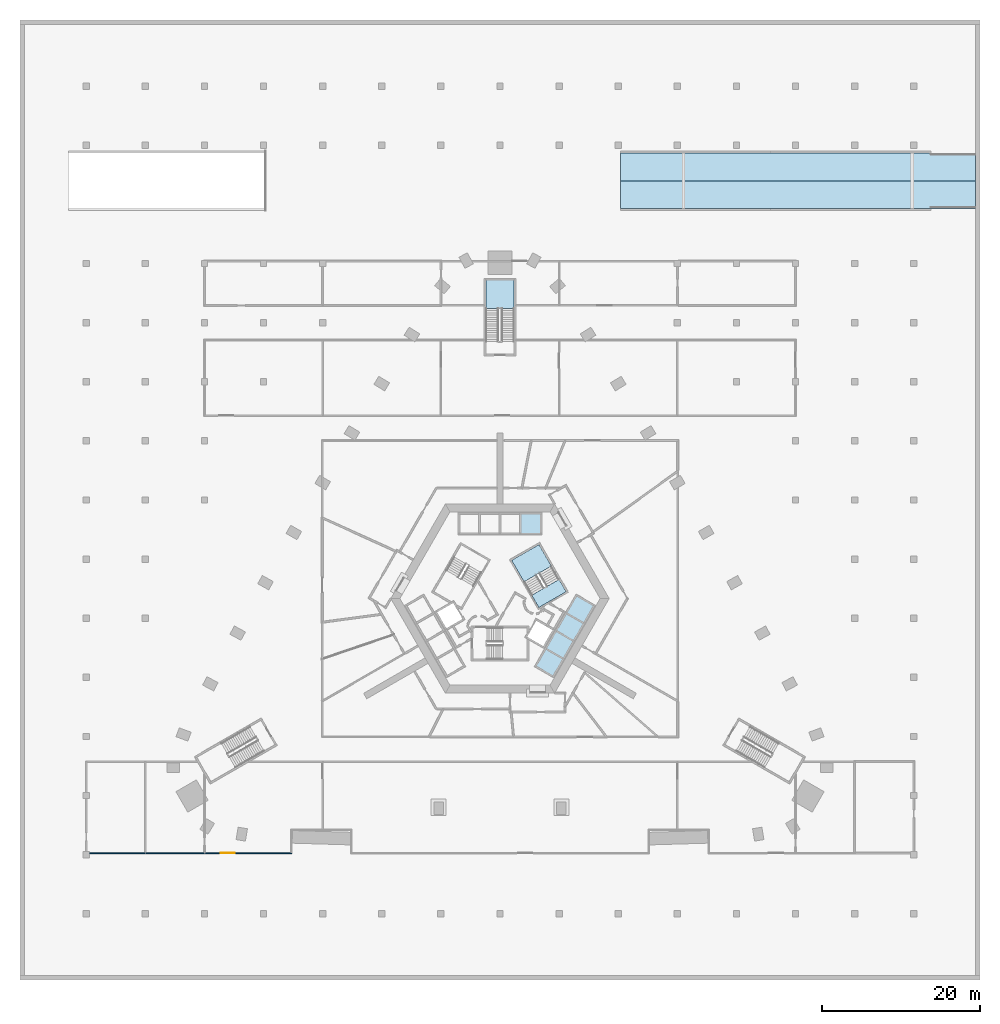
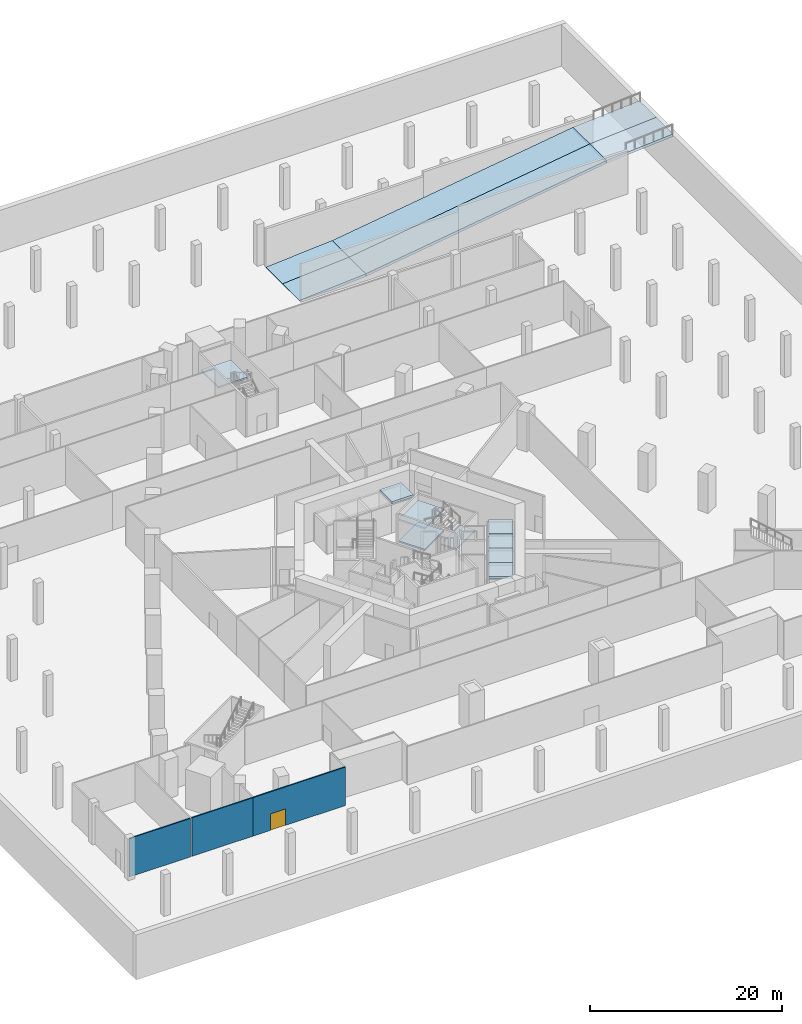
# One storey, part 2 of 20: 15 slabs, 3 walls, 1 door, 1 opening, 2 elements without a shape of their own.
"""IFC4 building model written with IfcOpenShell, lengths in metres."""

from ifc_helpers import new_model, si_unit, direction, frame, frame_2d, origin, place, context, subcontext, project, spatial, polyline, rectangle, outline, extrude, material, layer, layer_set, type_object, element, fill, aggregate, save


model = new_model("IFC4")

# Units and contexts
model_context = context("Model", 3, precision=1e-05, world=origin(), true_north=direction((0.0, 1.0)))
body_context = subcontext(model_context, "Body", "Model", "MODEL_VIEW")
ifc_project = project(units=[si_unit("LENGTHUNIT", "METRE"), si_unit("AREAUNIT", "SQUARE_METRE"), si_unit("VOLUMEUNIT", "CUBIC_METRE"), si_unit("PLANEANGLEUNIT", "RADIAN"), si_unit("MASSUNIT", "GRAM", prefix="KILO")], contexts=[model_context])

# Site, building, storey
site_placement = place(None, origin())
site = spatial("IfcSite", under=ifc_project, at=site_placement, CompositionType="ELEMENT")
building_placement = place(site_placement, origin())
building = spatial("IfcBuilding", under=site, at=building_placement, Name="Entoto Arch Interchange Tower", CompositionType="ELEMENT")
storey_placement = place(building_placement, frame((0.0, 0.0, -5.5)))
storey = spatial("IfcBuildingStorey", under=building, at=storey_placement, Name="B1", CompositionType="ELEMENT", Elevation=-5.5)

# Stair, slabs
ifc_material_1 = material(Name="Concrete C40/50", Category="concrete")
stair_type_1 = type_object("IfcStairType", Name="EXIT STAIR RC 1800", PredefinedType="HALF_TURN_STAIR", material=ifc_material_1)
stair_1_placement = place(storey_placement, origin())
stair_1 = element("IfcStair", 1, at=stair_1_placement, inside=storey, type_object=stair_type_1, Name="B1 Exit stair NE", PredefinedType="HALF_TURN_STAIR")
ifc_layer_1 = layer(ifc_material_1, 0.199951171875)
ifc_layer_set_1 = layer_set([ifc_layer_1], Name="Concrete C40/50")
slab_type_1 = type_object("IfcSlabType", Name="EXIT STAIR LANDING RC 200", PredefinedType="LANDING", material=ifc_layer_set_1)
slab_1_placement = place(storey_placement, frame((0.0, 0.0, 1.175048828125)))
slab_1 = element("IfcSlab", 2, at=slab_1_placement, type_object=slab_type_1, Name="ST-NE landing 1", PredefinedType="LANDING", context=body_context, shape_type="SweptSolid", body=[
    extrude(outline(polyline([(6.513427734375, 6.618408203125), (4.943359375, 9.337890625), (1.479248046875, 7.337890625), (3.04931640625, 4.618408203125), (6.513427734375, 6.618408203125)])), origin(), (0.0, 0.0, 1.0), 0.199951171875),
])
slab_2_placement = place(storey_placement, frame((0.0, 0.0, 2.550048828125)))
slab_2 = element("IfcSlab", 3, at=slab_2_placement, type_object=slab_type_1, Name="ST-NE landing 2", PredefinedType="LANDING", context=body_context, shape_type="SweptSolid", body=[
    extrude(outline(polyline([(8.393310546875, 3.3623046875), (7.493408203125, 4.921142578125), (4.029296875, 2.921142578125), (4.92919921875, 1.3623046875), (8.393310546875, 3.3623046875)])), origin(), (0.0, 0.0, 1.0), 0.199951171875),
])
slab_3_placement = place(storey_placement, frame((0.0, 0.0, 3.925048828125)))
slab_3 = element("IfcSlab", 4, at=slab_3_placement, type_object=slab_type_1, Name="ST-NE landing 3", PredefinedType="LANDING", context=body_context, shape_type="SweptSolid", body=[
    extrude(outline(polyline([(6.513427734375, 6.618408203125), (4.943359375, 9.337890625), (1.479248046875, 7.337890625), (3.04931640625, 4.618408203125), (6.513427734375, 6.618408203125)])), origin(), (0.0, 0.0, 1.0), 0.199951171875),
])
aggregate(stair_1, [slab_1, slab_2, slab_3])

# Stair, slab
stair_type_2 = type_object("IfcStairType", Name="PODIUM EXIT STAIR RC 1600", PredefinedType="HALF_TURN_STAIR", material=ifc_material_1)
stair_2_placement = place(storey_placement, origin())
stair_2 = element("IfcStair", 5, at=stair_2_placement, inside=storey, type_object=stair_type_2, Name="B1 Podium exit stair north", PredefinedType="HALF_TURN_STAIR")
slab_4_placement = place(storey_placement, frame((0.0, 0.0, 2.550048828125)))
slab_4 = element("IfcSlab", 6, at=slab_4_placement, type_object=slab_type_1, Name="PST-N landing 1", PredefinedType="LANDING", context=body_context, shape_type="SweptSolid", body=[
    extrude(outline(polyline([(1.800048828125, 39.300048828125), (1.800048828125, 42.89990234375), (-1.800048828125, 42.89990234375), (-1.800048828125, 39.300048828125), (1.800048828125, 39.300048828125)])), origin(), (0.0, 0.0, 1.0), 0.199951171875),
])
aggregate(stair_2, [slab_4])

# Slabs
ifc_layer_2 = layer(ifc_material_1, 0.300048828125)
ifc_layer_set_2 = layer_set([ifc_layer_2], Name="Concrete C40/50")
slab_type_2 = type_object("IfcSlabType", Name="LIFT PIT SLAB 300", PredefinedType="BASESLAB", material=ifc_layer_set_2)
slab_5_placement = place(storey_placement, frame((0.0, 0.0, 3.60009765625)))
element("IfcSlab", 7, at=slab_5_placement, inside=storey, type_object=slab_type_2, Name="Lift pit slab LR1", PredefinedType="BASESLAB", context=body_context, shape_type="SweptSolid", body=[
    extrude(outline(polyline([(5.18994140625, 10.7099609375), (2.610107421875, 10.7099609375), (2.610107421875, 13.2900390625), (5.18994140625, 13.2900390625), (5.18994140625, 10.7099609375)])), origin(), (0.0, 0.0, 1.0), 0.2998046875),
])
slab_6_placement = place(storey_placement, frame((0.0, 0.0, 3.60009765625)))
element("IfcSlab", 8, at=slab_6_placement, inside=storey, type_object=slab_type_2, Name="Lift pit slab LR5", PredefinedType="BASESLAB", context=body_context, shape_type="SweptSolid", body=[
    extrude(outline(polyline([(4.514892578125, -6.10009765625), (5.804931640625, -3.864990234375), (8.0390625, -5.155029296875), (6.7490234375, -7.389892578125), (4.514892578125, -6.10009765625)])), origin(), (0.0, 0.0, 1.0), 0.2998046875),
])
slab_7_placement = place(storey_placement, frame((0.0, 0.0, 3.60009765625)))
element("IfcSlab", 9, at=slab_7_placement, inside=storey, type_object=slab_type_2, Name="Lift pit slab LR6", PredefinedType="BASESLAB", context=body_context, shape_type="SweptSolid", body=[
    extrude(outline(polyline([(5.81494140625, -3.847900390625), (7.10498046875, -1.614013671875), (9.339111328125, -2.904052734375), (8.049072265625, -5.137939453125), (5.81494140625, -3.847900390625)])), origin(), (0.0, 0.0, 1.0), 0.2998046875),
])
slab_8_placement = place(storey_placement, frame((0.0, 0.0, 3.60009765625)))
element("IfcSlab", 10, at=slab_8_placement, inside=storey, type_object=slab_type_2, Name="Lift pit slab LR7", PredefinedType="BASESLAB", context=body_context, shape_type="SweptSolid", body=[
    extrude(outline(polyline([(7.114990234375, -1.595947265625), (8.405029296875, 0.637939453125), (10.638916015625, -0.652099609375), (9.34912109375, -2.885986328125), (7.114990234375, -1.595947265625)])), origin(), (0.0, 0.0, 1.0), 0.2998046875),
])
slab_9_placement = place(storey_placement, frame((0.0, 0.0, 3.60009765625)))
element("IfcSlab", 11, at=slab_9_placement, inside=storey, type_object=slab_type_2, Name="Lift pit slab LR8", PredefinedType="BASESLAB", context=body_context, shape_type="SweptSolid", body=[
    extrude(outline(polyline([(8.4150390625, 0.655029296875), (9.705078125, 2.889892578125), (11.93896484375, 1.60009765625), (10.64892578125, -0.635009765625), (8.4150390625, 0.655029296875)])), origin(), (0.0, 0.0, 1.0), 0.2998046875),
])
ifc_layer_3 = layer(ifc_material_1, 0.35009765625)
ifc_layer_set_3 = layer_set([ifc_layer_3], Name="Concrete C40/50")
slab_type_3 = type_object("IfcSlabType", Name="Vehicle ramp slab 350 C40/50", PredefinedType="FLOOR", material=ifc_layer_set_3)
for number, where, z_axis, x_axis, name in (
    (12, (52.300048828125, 52.0, 4.910888671875), (0.0, 0.0, 1.0), (1.0, 0.0, 0.0), "Vehicle ramp slab R1 ground to B1 flight 1 up lane"),
    (13, (52.300048828125, 55.5, 4.910888671875), (0.0, 0.0, 1.0), (1.0, 0.0, 0.0), "Vehicle ramp slab R1 ground to B1 flight 1 down lane"),
):
    element("IfcSlab", number, at=place(storey_placement, frame(where, z_axis=z_axis, x_axis=x_axis)), inside=storey, type_object=slab_type_3, Name=name, PredefinedType="FLOOR", context=body_context, shape_type="SweptSolid", body=[
        extrude(outline(polyline([(0.0, -0.35009765625), (8.0, 0.239013671875), (8.0, 0.589111328125), (0.0, 0.0), (0.0, -0.35009765625)])), frame((0.0, 3.5, 0.0), z_axis=(0.0, -1.0, 0.0), x_axis=(1.0, 0.0, 0.0)), (0.0, 0.0, 1.0), 3.5),
    ])
for number, where, z_axis, x_axis, name in (
    (14, (23.300048828125, 52.0, 0.63916015625), (0.0, 0.0, 1.0), (1.0, 0.0, 0.0), "Vehicle ramp slab R1 ground to B1 flight 2 up lane"),
    (15, (23.300048828125, 55.5, 0.63916015625), (0.0, 0.0, 1.0), (1.0, 0.0, 0.0), "Vehicle ramp slab R1 ground to B1 flight 2 down lane"),
):
    element("IfcSlab", number, at=place(storey_placement, frame(where, z_axis=z_axis, x_axis=x_axis)), inside=storey, type_object=slab_type_3, Name=name, PredefinedType="FLOOR", context=body_context, shape_type="SweptSolid", body=[
        extrude(outline(polyline([(0.0, -0.349853515625), (29.0, 3.921630859375), (29.0, 4.271728515625), (0.0, 0.0), (0.0, -0.349853515625)])), frame((0.0, 3.5, 0.0), z_axis=(0.0, -1.0, 0.0), x_axis=(1.0, 0.0, 0.0)), (0.0, 0.0, 1.0), 3.5),
    ])
for number, where, z_axis, x_axis, name in (
    (16, (15.300048828125, 52.0, 0.050048828125), (0.0, 0.0, 1.0), (1.0, 0.0, 0.0), "Vehicle ramp slab R1 ground to B1 flight 3 up lane"),
    (17, (15.300048828125, 55.5, 0.050048828125), (0.0, 0.0, 1.0), (1.0, 0.0, 0.0), "Vehicle ramp slab R1 ground to B1 flight 3 down lane"),
):
    element("IfcSlab", number, at=place(storey_placement, frame(where, z_axis=z_axis, x_axis=x_axis)), inside=storey, type_object=slab_type_3, Name=name, PredefinedType="FLOOR", context=body_context, shape_type="SweptSolid", body=[
        extrude(outline(polyline([(0.0, -0.050048828125), (4.073486328125, -0.050048828125), (8.0, 0.2392578125), (8.0, 0.589111328125), (0.0, 0.0), (0.0, -0.050048828125)])), frame((0.0, 3.5, 0.0), z_axis=(0.0, -1.0, 0.0), x_axis=(1.0, 0.0, 0.0)), (0.0, 0.0, 1.0), 3.5),
    ])

# Walls
ifc_material_2 = material(Name="Gypsum board partition on steel studs", Category="steel")
ifc_layer_4 = layer(ifc_material_2, 0.14990234375)
ifc_layer_set_4 = layer_set([ifc_layer_4], Name="Gypsum board partition on steel studs")
wall_type = type_object("IfcWallType", Name="PARTITION 150", PredefinedType="PARTITIONING", material=ifc_layer_set_4)
for number, where, z_axis, x_axis, name in (
    (18, (-45.074951171875, -29.800048828125, 0.0), (0.0, 0.0, 1.0), (-1.0, 0.0, 0.0), "wall:B1:p054"),
    (19, (-37.574951171875, -29.800048828125, 0.0), (0.0, 0.0, 1.0), (-1.0, 0.0, 0.0), "wall:B1:p057"),
):
    element("IfcWall", number, at=place(storey_placement, frame(where, z_axis=z_axis, x_axis=x_axis)), inside=storey, type_object=wall_type, Name=name, PredefinedType="PARTITIONING", context=body_context, shape_type="SweptSolid", body=[
        extrude(rectangle(XDim=7.35009765625, YDim=0.14990234375, at=frame_2d((3.675048828125, 0.0))), origin(), (0.0, 0.0, 1.0), 4.89990234375),
    ])

# Wall, opening, door
wall_placement = place(storey_placement, frame((-26.39208984375, -29.800048828125, 0.0), z_axis=(0.0, 0.0, 1.0), x_axis=(-1.0, 0.0, 0.0)))
wall = element("IfcWall", 20, at=wall_placement, inside=storey, type_object=wall_type, Name="wall:B1:p061", PredefinedType="PARTITIONING", context=body_context, shape_type="SweptSolid", body=[
    extrude(rectangle(XDim=11.182861328125, YDim=0.14990234375, at=frame_2d((5.59130859375, 0.0))), origin(), (0.0, 0.0, 1.0), 4.89990234375),
])
opening_placement = place(wall_placement, frame((7.239013671875, 0.0, 0.0)))
opening = element("IfcOpeningElement", 21, at=opening_placement, cuts=wall, Name="Opening B1-D22", PredefinedType="OPENING", context=body_context, shape_type="SweptSolid", body=[
    extrude(rectangle(XDim=1.800048828125, YDim=2.10009765625, at=frame_2d((0.89990234375, 1.050048828125))), frame((0.0, 0.0849609375, 0.0), z_axis=(0.0, -1.0, 0.0), x_axis=(1.0, 0.0, 0.0)), (0.0, 0.0, 1.0), 0.169921875),
])
ifc_material_3 = material(Name="Timber door leaf in Steel S235 frame", Category="steel")
door_type = type_object("IfcDoorType", Name="DOOR DD-18 1800x2100", OperationType="DOUBLE_DOOR_SINGLE_SWING", PredefinedType="DOOR", material=ifc_material_3)
door_placement = place(opening_placement, origin())
door = element("IfcDoor", 22, at=door_placement, inside=storey, type_object=door_type, Name="door:B1:22", OperationType="DOUBLE_DOOR_SINGLE_SWING", OverallHeight=2.10009765625, OverallWidth=1.800048828125, PredefinedType="DOOR", context=body_context, shape_type="SweptSolid", body=[
    extrude(rectangle(XDim=1.800048828125, YDim=2.10009765625, at=frame_2d((0.89990234375, 1.050048828125))), frame((0.0, 0.02490234375, 0.0), z_axis=(0.0, -1.0, 0.0), x_axis=(1.0, 0.0, 0.0)), (0.0, 0.0, 1.0), 0.050048828125),
])
fill(opening, door)

save(model, "model.ifc")
